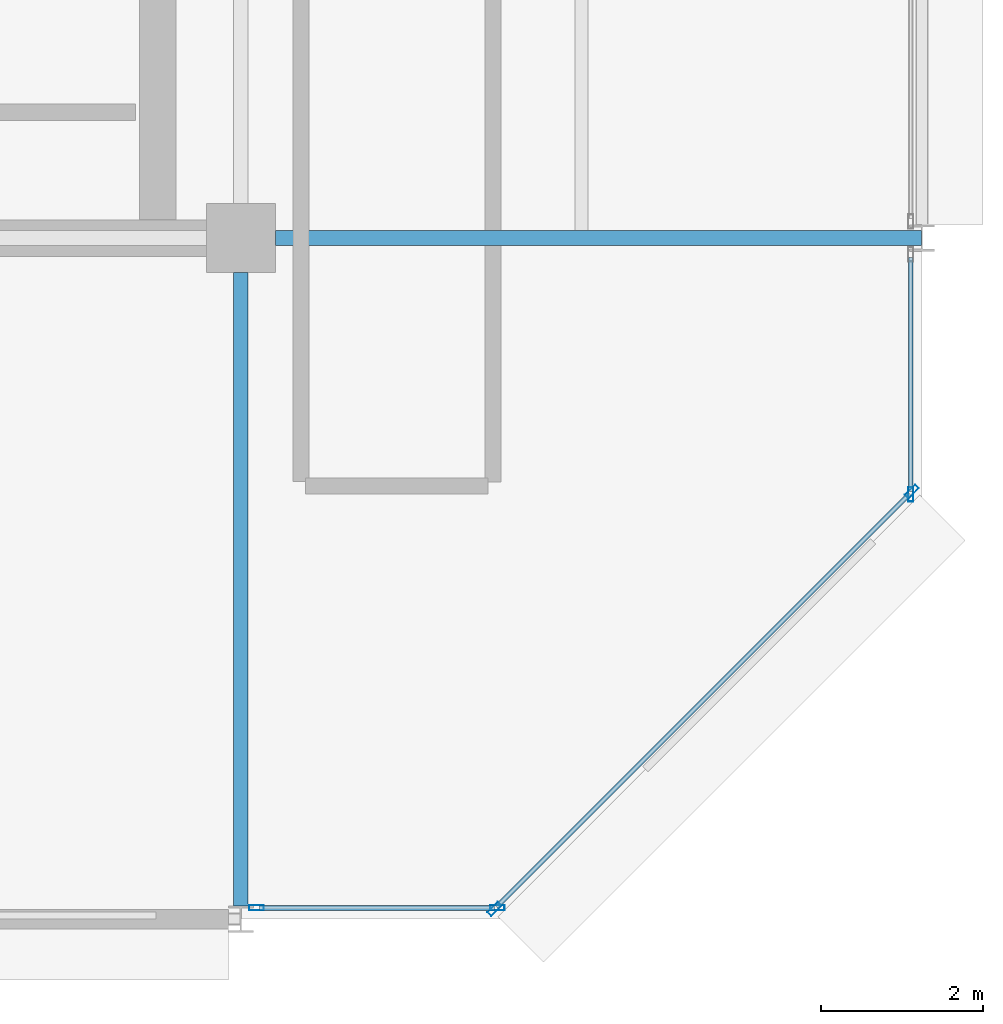
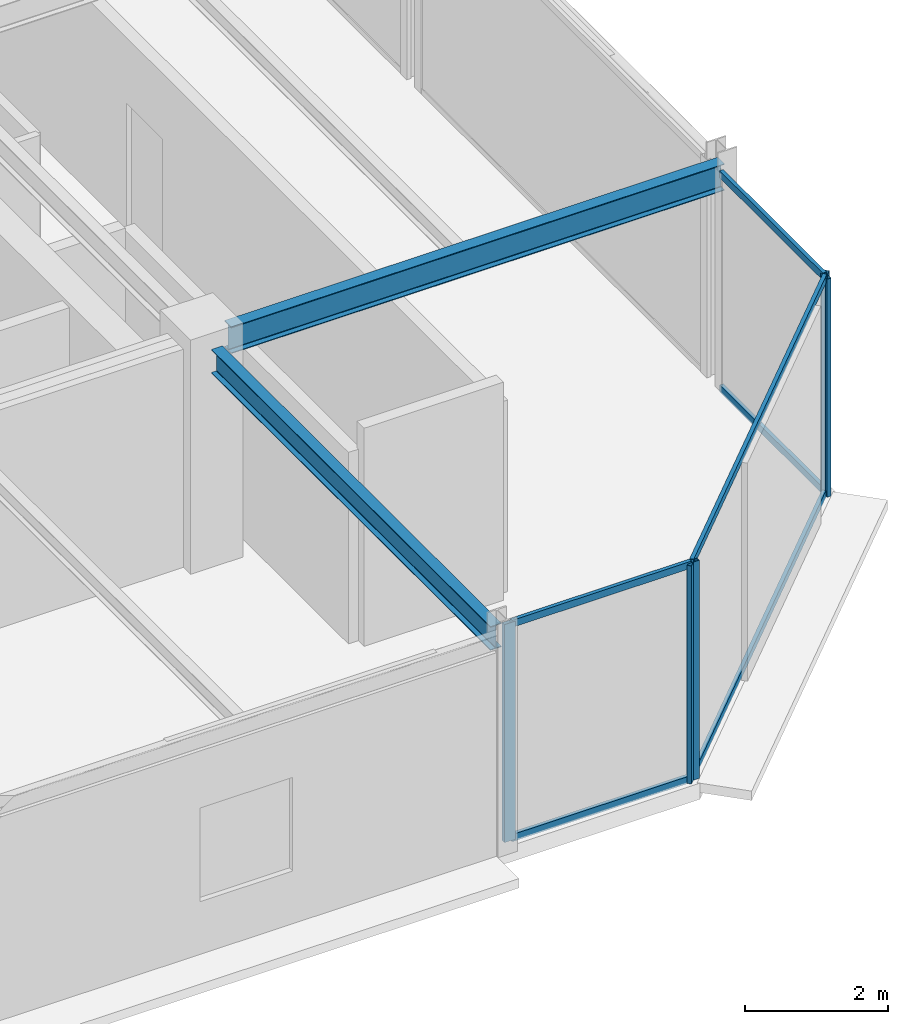
# One storey, part 14 of 27: 11 members, 2 beams, 3 elements without a shape of their own.
"""IFC4 building model written with IfcOpenShell, lengths in metres."""

from ifc_helpers import new_model, si_unit, direction, frame, origin, origin_2d, place, context, subcontext, project, spatial, hollow_rectangle, i_section, extrude, material, layer, layer_set, material_profile, profile_set, type_object, element, aggregate, save


model = new_model("IFC4")

# Units and contexts
model_context = context("Model", 3, precision=1e-05, world=origin(), true_north=direction((0.0, 1.0)))
body_context = subcontext(model_context, "Body", "Model", "MODEL_VIEW")
ifc_project = project(units=[si_unit("LENGTHUNIT", "METRE"), si_unit("AREAUNIT", "SQUARE_METRE"), si_unit("VOLUMEUNIT", "CUBIC_METRE"), si_unit("PLANEANGLEUNIT", "RADIAN"), si_unit("MASSUNIT", "GRAM", prefix="KILO")], contexts=[model_context])

# Site, building, storey
site_placement = place(None, origin())
site = spatial("IfcSite", under=ifc_project, at=site_placement, CompositionType="ELEMENT")
building_placement = place(site_placement, origin())
building = spatial("IfcBuilding", under=site, at=building_placement, Name="Nerrivon Quay Data Exchange", CompositionType="ELEMENT")
storey_placement = place(building_placement, frame((0.0, 0.0, 278.199951171875)))
storey = spatial("IfcBuildingStorey", under=building, at=storey_placement, Name="L66", CompositionType="ELEMENT", Elevation=278.199951171875)

# Beams
ifc_material_1 = material(Name="Steel Grade 350", Category="steel")
ifc_material_profile_1 = material_profile(ifc_material_1, i_section(OverallWidth=0.18994140625, OverallDepth=0.4541015625, WebThickness=0.008544921875, FlangeThickness=0.0126953125, FilletRadius=0.011474609375, at=origin_2d()), Name="460UB67.1")
ifc_profile_set_1 = profile_set([ifc_material_profile_1], Name="Steel Grade 350")
beam_type_1 = type_object("IfcBeamType", Name="BM-G6-460UB67", PredefinedType="BEAM", material=ifc_profile_set_1)
beam_1_placement = place(storey_placement, frame((34.02490234375, 8.39990234375, 3.498046875), z_axis=(1.0, 0.0, 0.0), x_axis=(0.0, 1.0, 0.0)))
element("IfcBeam", 1, at=beam_1_placement, inside=storey, type_object=beam_type_1, Name="L66 EW Girder Y=8.4 (33.6..42.0)", PredefinedType="BEAM", context=body_context, shape_type="SweptSolid", body=[
    extrude(i_section(OverallWidth=0.18994140625, OverallDepth=0.4541015625, WebThickness=0.008544921875, FlangeThickness=0.0126953125, FilletRadius=0.011474609375, at=origin_2d()), origin(), (0.0, 0.0, 1.0), 7.96728515625),
])
ifc_material_profile_2 = material_profile(ifc_material_1, i_section(OverallWidth=0.177978515625, OverallDepth=0.406005859375, WebThickness=0.0078125, FlangeThickness=0.0126953125, FilletRadius=0.011474609375, at=origin_2d()), Name="410UB59.7")
ifc_profile_set_2 = profile_set([ifc_material_profile_2], Name="Steel Grade 350")
beam_type_2 = type_object("IfcBeamType", Name="BM-J1-410UB60", PredefinedType="JOIST", material=ifc_profile_set_2)
beam_2_placement = place(storey_placement, frame((33.60009765625, 0.16357421875, 3.52197265625), z_axis=(0.0, 1.0, 0.0), x_axis=(-1.0, 0.0, 0.0)))
element("IfcBeam", 2, at=beam_2_placement, inside=storey, type_object=beam_type_2, Name="L66 NS Girder X=33.6 (0.0..8.4)", PredefinedType="JOIST", context=body_context, shape_type="SweptSolid", body=[
    extrude(i_section(OverallWidth=0.177978515625, OverallDepth=0.406005859375, WebThickness=0.0078125, FlangeThickness=0.0126953125, FilletRadius=0.011474609375, at=origin_2d()), origin(), (0.0, 0.0, 1.0), 7.8115234375),
])

# Curtain wall, members
ifc_material_2 = material(Name="Anodised aluminium 6063-T6", Category="aluminium")
ifc_layer = layer(ifc_material_2, 0.195068359375)
ifc_layer_set = layer_set([ifc_layer], Name="Anodised aluminium 6063-T6")
curtain_wall_type = type_object("IfcCurtainWallType", Name="CW-SYS-06", PredefinedType="NOTDEFINED", material=ifc_layer_set)
curtain_wall_1_placement = place(storey_placement, origin())
curtain_wall_1 = element("IfcCurtainWall", 3, at=curtain_wall_1_placement, inside=storey, type_object=curtain_wall_type, Name="L66 Unitised Curtain Wall 1", PredefinedType="NOTDEFINED")
ifc_material_profile_3 = material_profile(ifc_material_2, hollow_rectangle(XDim=0.06494140625, YDim=0.179931640625, WallThickness=0.00341796875, at=origin_2d()), Name="ALU-MULL-180x65")
ifc_profile_set_3 = profile_set([ifc_material_profile_3], Name="Anodised aluminium 6063-T6")
member_type_1 = type_object("IfcMemberType", Name="CWM-180x65", PredefinedType="MULLION", material=ifc_profile_set_3)
member_1_placement = place(storey_placement, frame((41.87451171875, 5.2724609375, 0.0), z_axis=(0.0, 0.0, 1.0), x_axis=(0.707106781187, -0.707106781187, 0.0)))
member_1 = element("IfcMember", 4, at=member_1_placement, type_object=member_type_1, Name="CW06 mullion 1", PredefinedType="MULLION", context=body_context, shape_type="SweptSolid", body=[
    extrude(hollow_rectangle(XDim=0.06494140625, YDim=0.179931640625, WallThickness=0.00341796875, at=origin_2d()), origin(), (0.0, 0.0, 1.0), 3.72509765625),
])
member_2_placement = place(storey_placement, frame((36.7275390625, 0.12548828125, 0.0), z_axis=(0.0, 0.0, 1.0), x_axis=(0.707106781187, -0.707106781187, 0.0)))
member_2 = element("IfcMember", 5, at=member_2_placement, type_object=member_type_1, Name="CW06 mullion 2", PredefinedType="MULLION", context=body_context, shape_type="SweptSolid", body=[
    extrude(hollow_rectangle(XDim=0.06494140625, YDim=0.179931640625, WallThickness=0.00341796875, at=origin_2d()), origin(), (0.0, 0.0, 1.0), 3.72509765625),
])

curtain_wall_2_placement = place(storey_placement, origin())
curtain_wall_2 = element("IfcCurtainWall", 6, at=curtain_wall_2_placement, inside=storey, type_object=curtain_wall_type, Name="L66 Unitised Curtain Wall 2", PredefinedType="NOTDEFINED")
member_3_placement = place(storey_placement, frame((36.762451171875, 0.139892578125, 0.0), z_axis=(0.0, 0.0, 1.0), x_axis=(0.0, -1.0, 0.0)))
member_3 = element("IfcMember", 7, at=member_3_placement, type_object=member_type_1, Name="CW06 mullion 1", PredefinedType="MULLION", context=body_context, shape_type="SweptSolid", body=[
    extrude(hollow_rectangle(XDim=0.06494140625, YDim=0.179931640625, WallThickness=0.00341796875, at=origin_2d()), origin(), (0.0, 0.0, 1.0), 3.72509765625),
])
member_4_placement = place(storey_placement, frame((33.79296875, 0.139892578125, 0.0), z_axis=(0.0, 0.0, 1.0), x_axis=(0.0, -1.0, 0.0)))
member_4 = element("IfcMember", 8, at=member_4_placement, type_object=member_type_1, Name="CW06 mullion 2", PredefinedType="MULLION", context=body_context, shape_type="SweptSolid", body=[
    extrude(hollow_rectangle(XDim=0.06494140625, YDim=0.179931640625, WallThickness=0.00341796875, at=origin_2d()), origin(), (0.0, 0.0, 1.0), 3.72509765625),
])

# Curtain wall, member
curtain_wall_3_placement = place(storey_placement, origin())
curtain_wall_3 = element("IfcCurtainWall", 9, at=curtain_wall_3_placement, inside=storey, type_object=curtain_wall_type, Name="L66 Unitised Curtain Wall 28", PredefinedType="NOTDEFINED")
member_5_placement = place(storey_placement, frame((41.860107421875, 5.237548828125, 0.0), z_axis=(0.0, 0.0, 1.0), x_axis=(1.0, 0.0, 0.0)))
member_5 = element("IfcMember", 10, at=member_5_placement, type_object=member_type_1, Name="CW06 mullion 2", PredefinedType="MULLION", context=body_context, shape_type="SweptSolid", body=[
    extrude(hollow_rectangle(XDim=0.06494140625, YDim=0.179931640625, WallThickness=0.00341796875, at=origin_2d()), origin(), (0.0, 0.0, 1.0), 3.72509765625),
])

# Member
ifc_material_profile_4 = material_profile(ifc_material_2, hollow_rectangle(XDim=0.06005859375, YDim=0.1201171875, WallThickness=0.003173828125, at=origin_2d()), Name="ALU-TRAN-120x60")
ifc_profile_set_4 = profile_set([ifc_material_profile_4], Name="Anodised aluminium 6063-T6")
member_type_2 = type_object("IfcMemberType", Name="CWT-120x60", PredefinedType="USERDEFINED", material=ifc_profile_set_4)
member_6_placement = place(storey_placement, frame((41.847900390625, 5.245849609375, 0.032470703125), z_axis=(-0.707106781187, -0.707106781187, 0.0), x_axis=(0.707106781187, -0.707106781187, 0.0)))
member_6 = element("IfcMember", 11, at=member_6_placement, type_object=member_type_2, Name="CW06 transom 1.1", ObjectType="TRANSOM", PredefinedType="USERDEFINED", context=body_context, shape_type="SweptSolid", body=[
    extrude(hollow_rectangle(XDim=0.06005859375, YDim=0.1201171875, WallThickness=0.003173828125, at=origin_2d()), origin(), (0.0, 0.0, 1.0), 7.20361328125),
])

member_7_placement = place(storey_placement, frame((41.847900390625, 5.245849609375, 3.692626953125), z_axis=(-0.707106781187, -0.707106781187, 0.0), x_axis=(0.707106781187, -0.707106781187, 0.0)))
member_7 = element("IfcMember", 12, at=member_7_placement, type_object=member_type_2, Name="CW06 transom 1.2", ObjectType="TRANSOM", PredefinedType="USERDEFINED", context=body_context, shape_type="SweptSolid", body=[
    extrude(hollow_rectangle(XDim=0.06005859375, YDim=0.1201171875, WallThickness=0.003173828125, at=origin_2d()), origin(), (0.0, 0.0, 1.0), 7.20361328125),
])

aggregate(curtain_wall_1, [member_1, member_2, member_6, member_7])

member_8_placement = place(storey_placement, frame((36.72509765625, 0.139892578125, 0.032470703125), z_axis=(-1.0, 0.0, 0.0), x_axis=(0.0, -1.0, 0.0)))
member_8 = element("IfcMember", 13, at=member_8_placement, type_object=member_type_2, Name="CW06 transom 1.1", ObjectType="TRANSOM", PredefinedType="USERDEFINED", context=body_context, shape_type="SweptSolid", body=[
    extrude(hollow_rectangle(XDim=0.06005859375, YDim=0.1201171875, WallThickness=0.003173828125, at=origin_2d()), origin(), (0.0, 0.0, 1.0), 2.89453125),
])

member_9_placement = place(storey_placement, frame((36.72509765625, 0.139892578125, 3.692626953125), z_axis=(-1.0, 0.0, 0.0), x_axis=(0.0, -1.0, 0.0)))
member_9 = element("IfcMember", 14, at=member_9_placement, type_object=member_type_2, Name="CW06 transom 1.2", ObjectType="TRANSOM", PredefinedType="USERDEFINED", context=body_context, shape_type="SweptSolid", body=[
    extrude(hollow_rectangle(XDim=0.06005859375, YDim=0.1201171875, WallThickness=0.003173828125, at=origin_2d()), origin(), (0.0, 0.0, 1.0), 2.89453125),
])

aggregate(curtain_wall_2, [member_3, member_4, member_8, member_9])

member_10_placement = place(storey_placement, frame((41.860107421875, 8.16162109375, 0.032470703125), z_axis=(0.0, -1.0, 0.0), x_axis=(1.0, 0.0, 0.0)))
member_10 = element("IfcMember", 15, at=member_10_placement, type_object=member_type_2, Name="CW06 transom 1.1", ObjectType="TRANSOM", PredefinedType="USERDEFINED", context=body_context, shape_type="SweptSolid", body=[
    extrude(hollow_rectangle(XDim=0.06005859375, YDim=0.1201171875, WallThickness=0.003173828125, at=origin_2d()), origin(), (0.0, 0.0, 1.0), 2.88671875),
])

member_11_placement = place(storey_placement, frame((41.860107421875, 8.16162109375, 3.692626953125), z_axis=(0.0, -1.0, 0.0), x_axis=(1.0, 0.0, 0.0)))
member_11 = element("IfcMember", 16, at=member_11_placement, type_object=member_type_2, Name="CW06 transom 1.2", ObjectType="TRANSOM", PredefinedType="USERDEFINED", context=body_context, shape_type="SweptSolid", body=[
    extrude(hollow_rectangle(XDim=0.06005859375, YDim=0.1201171875, WallThickness=0.003173828125, at=origin_2d()), origin(), (0.0, 0.0, 1.0), 2.88671875),
])

aggregate(curtain_wall_3, [member_5, member_10, member_11])

save(model, "model.ifc")
